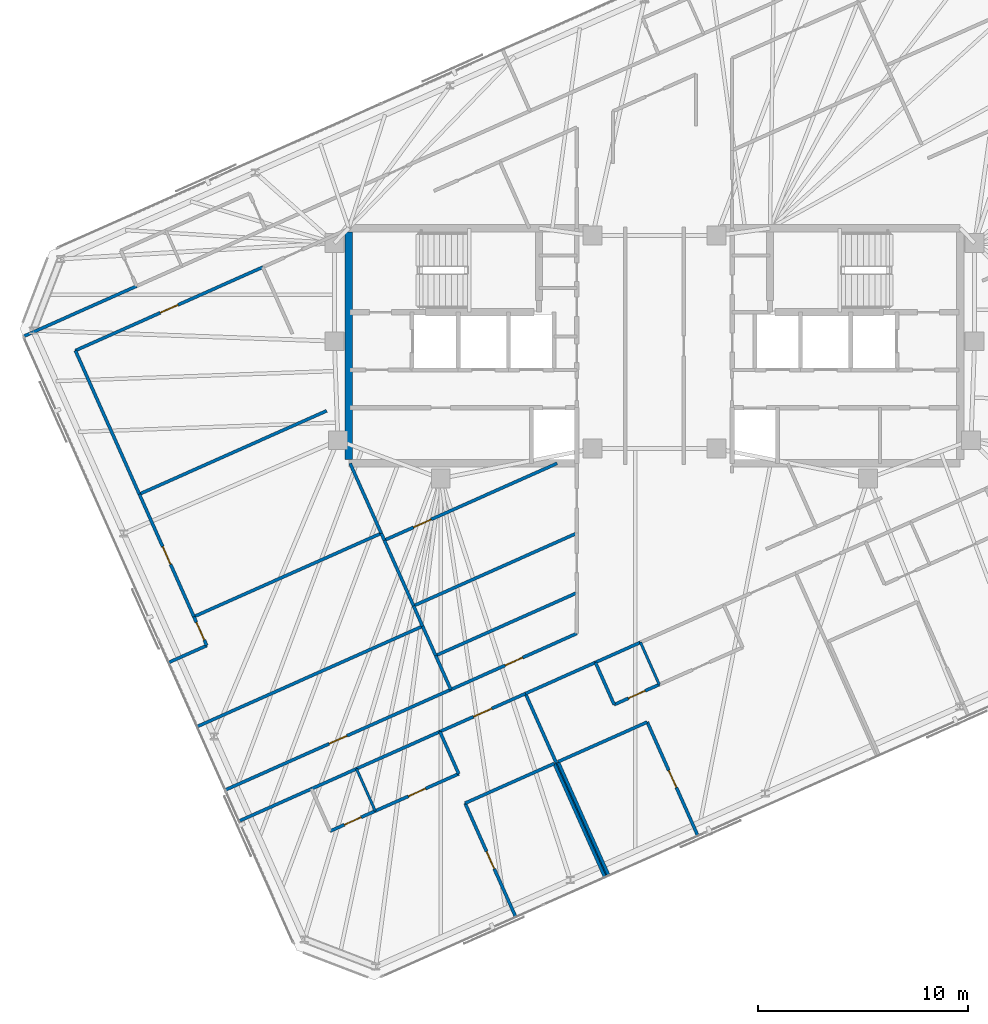
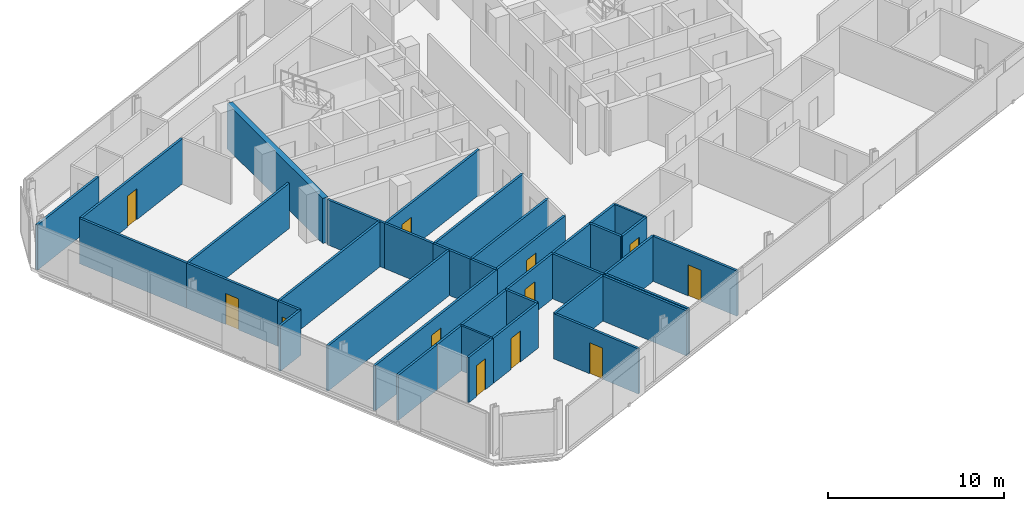
# One storey, part 13 of 19: 41 walls, 12 doors, 12 openings.
"""IFC4 building model written with IfcOpenShell, lengths in metres."""

from ifc_helpers import new_model, si_unit, direction, frame, frame_2d, origin, place, context, subcontext, project, spatial, rectangle, extrude, material, layer, layer_set, type_object, element, fill, save


model = new_model("IFC4")

# Units and contexts
model_context = context("Model", 3, precision=1e-05, world=origin(), true_north=direction((0.0, 1.0)))
body_context = subcontext(model_context, "Body", "Model", "MODEL_VIEW")
ifc_project = project(units=[si_unit("LENGTHUNIT", "METRE"), si_unit("AREAUNIT", "SQUARE_METRE"), si_unit("VOLUMEUNIT", "CUBIC_METRE"), si_unit("PLANEANGLEUNIT", "RADIAN"), si_unit("MASSUNIT", "GRAM", prefix="KILO")], contexts=[model_context])

# Site, building, storey
site_placement = place(None, origin())
site = spatial("IfcSite", under=ifc_project, at=site_placement, CompositionType="ELEMENT")
building_placement = place(site_placement, origin())
building = spatial("IfcBuilding", under=site, at=building_placement, Name="Menara Jurai Vektor", CompositionType="ELEMENT")
storey_placement = place(building_placement, frame((0.0, 0.0, 268.89990234375)))
storey = spatial("IfcBuildingStorey", under=building, at=storey_placement, Name="L72", CompositionType="ELEMENT", Elevation=268.89990234375)

# Walls
ifc_material_1 = material(Name="Gypsum Fireboard Partition", Category="gypsum")
ifc_layer_1 = layer(ifc_material_1, 0.14990234375)
ifc_layer_set_1 = layer_set([ifc_layer_1], Name="Gypsum Fireboard Partition")
wall_type_1 = type_object("IfcWallType", Name="INT-WALL-CORR-150", PredefinedType="PARTITIONING", material=ifc_layer_set_1)
wall_1_placement = place(storey_placement, frame((-30.063232421875, 0.44384765625, 0.0), z_axis=(0.0, 0.0, 1.0), x_axis=(0.913545336501, 0.406736915165, 0.0)))
element("IfcWall", 1, at=wall_1_placement, inside=storey, type_object=wall_type_1, Name="Interior Wall IW-150 L72", PredefinedType="PARTITIONING", context=body_context, shape_type="SweptSolid", body=[
    extrude(rectangle(XDim=5.904052734375, YDim=0.14990234375, at=frame_2d((2.9521484375, 0.0))), origin(), (0.0, 0.0, 1.0), 3.125),
])
wall_2_placement = place(storey_placement, frame((-19.786376953125, -22.638671875, 0.0), z_axis=(0.0, 0.0, 1.0), x_axis=(0.913541633228, 0.406745232743, 0.0)))
element("IfcWall", 2, at=wall_2_placement, inside=storey, type_object=wall_type_1, Name="Interior Wall IW-150 L72", PredefinedType="PARTITIONING", context=body_context, shape_type="SweptSolid", body=[
    extrude(rectangle(XDim=3.77001953125, YDim=0.14990234375, at=frame_2d((1.885009765625, 0.0))), origin(), (0.0, 0.0, 1.0), 3.125),
])

# Wall, opening, door
wall_3_placement = place(storey_placement, frame((-10.221435546875, -18.380126953125, 0.0), z_axis=(0.0, 0.0, 1.0), x_axis=(0.913542602601, 0.406743055543, 0.0)))
wall_3 = element("IfcWall", 3, at=wall_3_placement, inside=storey, type_object=wall_type_1, Name="Interior Wall IW-150 L72", PredefinedType="PARTITIONING", context=body_context, shape_type="SweptSolid", body=[
    extrude(rectangle(XDim=4.4580078125, YDim=0.14990234375, at=frame_2d((2.22900390625, 0.0))), origin(), (0.0, 0.0, 1.0), 3.125),
])
opening_1_placement = place(wall_3_placement, frame((1.75390625, 0.0, 0.0)))
opening_1 = element("IfcOpeningElement", 4, at=opening_1_placement, cuts=wall_3, Name="Opening D72-16", PredefinedType="OPENING", context=body_context, shape_type="SweptSolid", body=[
    extrude(rectangle(XDim=0.949951171875, YDim=2.14990234375, at=frame_2d((0.47509765625, 1.074951171875))), frame((0.0, 0.0849609375, 0.0), z_axis=(0.0, -1.0, 0.0), x_axis=(1.0, 0.0, 0.0)), (0.0, 0.0, 1.0), 0.169921875),
])
ifc_material_2 = material(Name="Solid Core Timber Fire Door", Category="wood")
door_type_1 = type_object("IfcDoorType", Name="DR-ENTRY-950", OperationType="NOTDEFINED", PredefinedType="DOOR", material=ifc_material_2)
door_1_placement = place(opening_1_placement, origin())
door_1 = element("IfcDoor", 5, at=door_1_placement, inside=storey, type_object=door_type_1, Name="Interior Door D72-16", OperationType="SINGLE_SWING_RIGHT", OverallHeight=2.14990234375, OverallWidth=0.949951171875, PredefinedType="DOOR", context=body_context, shape_type="SweptSolid", body=[
    extrude(rectangle(XDim=0.949951171875, YDim=2.14990234375, at=frame_2d((0.47509765625, 1.074951171875))), frame((0.0, 0.02490234375, 0.0), z_axis=(0.0, -1.0, 0.0), x_axis=(1.0, 0.0, 0.0)), (0.0, 0.0, 1.0), 0.050048828125),
])
fill(opening_1, door_1)

# Walls
wall_4_placement = place(storey_placement, frame((-16.34228515625, -21.105224609375, 0.0), z_axis=(0.0, 0.0, 1.0), x_axis=(0.913558622212, 0.406707073682, 0.0)))
element("IfcWall", 6, at=wall_4_placement, inside=storey, type_object=wall_type_1, Name="Interior Wall IW-150 L72", PredefinedType="PARTITIONING", context=body_context, shape_type="SweptSolid", body=[
    extrude(rectangle(XDim=2.35009765625, YDim=0.14990234375, at=frame_2d((1.175048828125, 0.0))), origin(), (0.0, 0.0, 1.0), 3.125),
])
wall_5_placement = place(storey_placement, frame((-14.1953125, -20.1494140625, 0.0), z_axis=(0.0, 0.0, 1.0), x_axis=(0.913545193015, 0.406737237438, 0.0)))
element("IfcWall", 7, at=wall_5_placement, inside=storey, type_object=wall_type_1, Name="Interior Wall IW-150 L72", PredefinedType="PARTITIONING", context=body_context, shape_type="SweptSolid", body=[
    extrude(rectangle(XDim=4.349853515625, YDim=0.14990234375, at=frame_2d((2.1748046875, 0.0))), origin(), (0.0, 0.0, 1.0), 3.125),
])
wall_6_placement = place(storey_placement, frame((-6.14892578125, -16.56689453125, 0.0), z_axis=(0.0, 0.0, 1.0), x_axis=(0.913543802, 0.40674036169, 0.0)))
element("IfcWall", 8, at=wall_6_placement, inside=storey, type_object=wall_type_1, Name="Interior Wall IW-150 L72", PredefinedType="PARTITIONING", context=body_context, shape_type="SweptSolid", body=[
    extrude(rectangle(XDim=3.650146484375, YDim=0.14990234375, at=frame_2d((1.8251953125, 0.0))), origin(), (0.0, 0.0, 1.0), 3.125),
])
wall_7_placement = place(storey_placement, frame((-2.814453125, -15.082275390625, 0.0), z_axis=(0.0, 0.0, 1.0), x_axis=(0.913558622212, 0.406707073682, 0.0)))
element("IfcWall", 9, at=wall_7_placement, inside=storey, type_object=wall_type_1, Name="Interior Wall IW-150 L72", PredefinedType="PARTITIONING", context=body_context, shape_type="SweptSolid", body=[
    extrude(rectangle(XDim=2.35009765625, YDim=0.14990234375, at=frame_2d((1.175048828125, 0.0))), origin(), (0.0, 0.0, 1.0), 3.125),
])

# Wall, opening, door
wall_8_placement = place(storey_placement, frame((-20.4453125, -21.15869140625, 0.0), z_axis=(0.0, 0.0, 1.0), x_axis=(0.913547681516, 0.406731648137, 0.0)))
wall_8 = element("IfcWall", 10, at=wall_8_placement, inside=storey, type_object=wall_type_1, Name="Interior Wall IW-150 L72", PredefinedType="PARTITIONING", context=body_context, shape_type="SweptSolid", body=[
    extrude(rectangle(XDim=11.760009765625, YDim=0.14990234375, at=frame_2d((5.8798828125, 0.0))), origin(), (0.0, 0.0, 1.0), 3.125),
])
opening_2_placement = place(wall_8_placement, frame((5.419921875, 0.0, 0.0)))
opening_2 = element("IfcOpeningElement", 11, at=opening_2_placement, cuts=wall_8, Name="Opening D72-32", PredefinedType="OPENING", context=body_context, shape_type="SweptSolid", body=[
    extrude(rectangle(XDim=0.919921875, YDim=2.14990234375, at=frame_2d((0.4599609375, 1.074951171875))), frame((0.0, 0.0849609375, 0.0), z_axis=(0.0, -1.0, 0.0), x_axis=(1.0, 0.0, 0.0)), (0.0, 0.0, 1.0), 0.169921875),
])
door_2_placement = place(opening_2_placement, origin())
door_2 = element("IfcDoor", 12, at=door_2_placement, inside=storey, type_object=door_type_1, Name="Interior Door D72-32", OperationType="SINGLE_SWING_RIGHT", OverallHeight=2.14990234375, OverallWidth=0.919921875, PredefinedType="DOOR", context=body_context, shape_type="SweptSolid", body=[
    extrude(rectangle(XDim=0.919921875, YDim=2.14990234375, at=frame_2d((0.4599609375, 1.074951171875))), frame((0.0, 0.02490234375, 0.0), z_axis=(0.0, -1.0, 0.0), x_axis=(1.0, 0.0, 0.0)), (0.0, 0.0, 1.0), 0.050048828125),
])
fill(opening_2, door_2)

# Wall
wall_9_placement = place(storey_placement, frame((-23.14794921875, -15.088134765625, 0.0), z_axis=(0.0, 0.0, 1.0), x_axis=(0.913553334727, 0.406718950392, 0.0)))
element("IfcWall", 13, at=wall_9_placement, inside=storey, type_object=wall_type_1, Name="Interior Wall IW-150 L72", PredefinedType="PARTITIONING", context=body_context, shape_type="SweptSolid", body=[
    extrude(rectangle(XDim=1.989990234375, YDim=0.14990234375, at=frame_2d((0.9951171875, 0.0))), origin(), (0.0, 0.0, 1.0), 3.125),
])

# Wall, opening, door
wall_10_placement = place(storey_placement, frame((-21.330078125, -14.27880859375, 0.0), z_axis=(0.0, 0.0, 1.0), x_axis=(-0.406725442105, 0.913550444554, 0.0)))
wall_10 = element("IfcWall", 14, at=wall_10_placement, inside=storey, type_object=wall_type_1, Name="Interior Wall IW-150 L72", PredefinedType="PARTITIONING", context=body_context, shape_type="SweptSolid", body=[
    extrude(rectangle(XDim=1.5048828125, YDim=0.14990234375, at=frame_2d((0.75244140625, 0.0))), origin(), (0.0, 0.0, 1.0), 3.125),
])
opening_3_placement = place(wall_10_placement, frame((0.29248046875, 0.0, 0.0)))
opening_3 = element("IfcOpeningElement", 15, at=opening_3_placement, cuts=wall_10, Name="Opening D72-33", PredefinedType="OPENING", context=body_context, shape_type="SweptSolid", body=[
    extrude(rectangle(XDim=0.919921875, YDim=2.14990234375, at=frame_2d((0.4599609375, 1.074951171875))), frame((0.0, 0.0849609375, 0.0), z_axis=(0.0, -1.0, 0.0), x_axis=(1.0, 0.0, 0.0)), (0.0, 0.0, 1.0), 0.169921875),
])
door_3_placement = place(opening_3_placement, origin())
door_3 = element("IfcDoor", 16, at=door_3_placement, inside=storey, type_object=door_type_1, Name="Interior Door D72-33", OperationType="SINGLE_SWING_LEFT", OverallHeight=2.14990234375, OverallWidth=0.919921875, PredefinedType="DOOR", context=body_context, shape_type="SweptSolid", body=[
    extrude(rectangle(XDim=0.919921875, YDim=2.14990234375, at=frame_2d((0.4599609375, 1.074951171875))), frame((0.0, 0.02490234375, 0.0), z_axis=(0.0, -1.0, 0.0), x_axis=(1.0, 0.0, 0.0)), (0.0, 0.0, 1.0), 0.050048828125),
])
fill(opening_3, door_3)

wall_11_placement = place(storey_placement, frame((-21.942138671875, -12.904052734375, 0.0), z_axis=(0.0, 0.0, 1.0), x_axis=(-0.406712833395, 0.913556058023, 0.0)))
wall_11 = element("IfcWall", 17, at=wall_11_placement, inside=storey, type_object=wall_type_1, Name="Interior Wall IW-150 L72", PredefinedType="PARTITIONING", context=body_context, shape_type="SweptSolid", body=[
    extrude(rectangle(XDim=6.38818359375, YDim=0.14990234375, at=frame_2d((3.194091796875, 0.0))), origin(), (0.0, 0.0, 1.0), 3.125),
])
opening_4_placement = place(wall_11_placement, frame((2.73388671875, 0.0, 0.0)))
opening_4 = element("IfcOpeningElement", 18, at=opening_4_placement, cuts=wall_11, Name="Opening D72-34", PredefinedType="OPENING", context=body_context, shape_type="SweptSolid", body=[
    extrude(rectangle(XDim=0.919921875, YDim=2.14990234375, at=frame_2d((0.4599609375, 1.074951171875))), frame((0.0, 0.0849609375, 0.0), z_axis=(0.0, -1.0, 0.0), x_axis=(1.0, 0.0, 0.0)), (0.0, 0.0, 1.0), 0.169921875),
])
door_4_placement = place(opening_4_placement, origin())
door_4 = element("IfcDoor", 19, at=door_4_placement, inside=storey, type_object=door_type_1, Name="Interior Door D72-34", OperationType="SINGLE_SWING_RIGHT", OverallHeight=2.14990234375, OverallWidth=0.919921875, PredefinedType="DOOR", context=body_context, shape_type="SweptSolid", body=[
    extrude(rectangle(XDim=0.919921875, YDim=2.14990234375, at=frame_2d((0.4599609375, 1.074951171875))), frame((0.0, 0.02490234375, 0.0), z_axis=(0.0, -1.0, 0.0), x_axis=(1.0, 0.0, 0.0)), (0.0, 0.0, 1.0), 0.050048828125),
])
fill(opening_4, door_4)

# Wall
wall_12_placement = place(storey_placement, frame((-24.540283203125, -7.068115234375, 0.0), z_axis=(0.0, 0.0, 1.0), x_axis=(-0.406758457302, 0.913535745011, 0.0)))
element("IfcWall", 20, at=wall_12_placement, inside=storey, type_object=wall_type_1, Name="Interior Wall IW-150 L72", PredefinedType="PARTITIONING", context=body_context, shape_type="SweptSolid", body=[
    extrude(rectangle(XDim=7.48876953125, YDim=0.14990234375, at=frame_2d((3.744384765625, 0.0))), origin(), (0.0, 0.0, 1.0), 3.125),
])

# Wall, opening, door
wall_13_placement = place(storey_placement, frame((-27.58642578125, -0.226806640625, 0.0), z_axis=(0.0, 0.0, 1.0), x_axis=(0.913542396088, 0.40674351937, 0.0)))
wall_13 = element("IfcWall", 21, at=wall_13_placement, inside=storey, type_object=wall_type_1, Name="Interior Wall IW-150 L72", PredefinedType="PARTITIONING", context=body_context, shape_type="SweptSolid", body=[
    extrude(rectangle(XDim=9.77001953125, YDim=0.14990234375, at=frame_2d((4.885009765625, 0.0))), origin(), (0.0, 0.0, 1.0), 3.125),
])
opening_5_placement = place(wall_13_placement, frame((4.425048828125, 0.0, 0.0)))
opening_5 = element("IfcOpeningElement", 22, at=opening_5_placement, cuts=wall_13, Name="Opening D72-35", PredefinedType="OPENING", context=body_context, shape_type="SweptSolid", body=[
    extrude(rectangle(XDim=0.919921875, YDim=2.14990234375, at=frame_2d((0.4599609375, 1.074951171875))), frame((0.0, 0.0849609375, 0.0), z_axis=(0.0, -1.0, 0.0), x_axis=(1.0, 0.0, 0.0)), (0.0, 0.0, 1.0), 0.169921875),
])
door_5_placement = place(opening_5_placement, origin())
door_5 = element("IfcDoor", 23, at=door_5_placement, inside=storey, type_object=door_type_1, Name="Interior Door D72-35", OperationType="SINGLE_SWING_LEFT", OverallHeight=2.14990234375, OverallWidth=0.919921875, PredefinedType="DOOR", context=body_context, shape_type="SweptSolid", body=[
    extrude(rectangle(XDim=0.919921875, YDim=2.14990234375, at=frame_2d((0.4599609375, 1.074951171875))), frame((0.0, 0.02490234375, 0.0), z_axis=(0.0, -1.0, 0.0), x_axis=(1.0, 0.0, 0.0)), (0.0, 0.0, 1.0), 0.050048828125),
])
fill(opening_5, door_5)

wall_14_placement = place(storey_placement, frame((-9.701904296875, -16.37548828125, 0.0), z_axis=(0.0, 0.0, 1.0), x_axis=(0.913552389019, 0.406721074594, 0.0)))
wall_14 = element("IfcWall", 24, at=wall_14_placement, inside=storey, type_object=wall_type_1, Name="Interior Wall IW-150 L72", PredefinedType="PARTITIONING", context=body_context, shape_type="SweptSolid", body=[
    extrude(rectangle(XDim=6.56982421875, YDim=0.14990234375, at=frame_2d((3.284912109375, 0.0))), origin(), (0.0, 0.0, 1.0), 3.125),
])
opening_6_placement = place(wall_14_placement, frame((2.824951171875, 0.0, 0.0)))
opening_6 = element("IfcOpeningElement", 25, at=opening_6_placement, cuts=wall_14, Name="Opening D72-38", PredefinedType="OPENING", context=body_context, shape_type="SweptSolid", body=[
    extrude(rectangle(XDim=0.919921875, YDim=2.14990234375, at=frame_2d((0.4599609375, 1.074951171875))), frame((0.0, 0.0849609375, 0.0), z_axis=(0.0, -1.0, 0.0), x_axis=(1.0, 0.0, 0.0)), (0.0, 0.0, 1.0), 0.169921875),
])
door_6_placement = place(opening_6_placement, origin())
door_6 = element("IfcDoor", 26, at=door_6_placement, inside=storey, type_object=door_type_1, Name="Interior Door D72-38", OperationType="SINGLE_SWING_RIGHT", OverallHeight=2.14990234375, OverallWidth=0.919921875, PredefinedType="DOOR", context=body_context, shape_type="SweptSolid", body=[
    extrude(rectangle(XDim=0.919921875, YDim=2.14990234375, at=frame_2d((0.4599609375, 1.074951171875))), frame((0.0, 0.02490234375, 0.0), z_axis=(0.0, -1.0, 0.0), x_axis=(1.0, 0.0, 0.0)), (0.0, 0.0, 1.0), 0.050048828125),
])
fill(opening_6, door_6)

wall_15_placement = place(storey_placement, frame((-15.447509765625, -23.114990234375, 0.0), z_axis=(0.0, 0.0, 1.0), x_axis=(0.913558622212, 0.406707073682, 0.0)))
wall_15 = element("IfcWall", 27, at=wall_15_placement, inside=storey, type_object=wall_type_1, Name="Interior Wall IW-150 L72", PredefinedType="PARTITIONING", context=body_context, shape_type="SweptSolid", body=[
    extrude(rectangle(XDim=2.35009765625, YDim=0.14990234375, at=frame_2d((1.175048828125, 0.0))), origin(), (0.0, 0.0, 1.0), 3.125),
])
opening_7_placement = place(wall_15_placement, frame((0.735107421875, 0.0, 0.0)))
opening_7 = element("IfcOpeningElement", 28, at=opening_7_placement, cuts=wall_15, Name="Opening D72-17", PredefinedType="OPENING", context=body_context, shape_type="SweptSolid", body=[
    extrude(rectangle(XDim=0.8798828125, YDim=2.14990234375, at=frame_2d((0.43994140625, 1.074951171875))), frame((0.0, 0.0849609375, 0.0), z_axis=(0.0, -1.0, 0.0), x_axis=(1.0, 0.0, 0.0)), (0.0, 0.0, 1.0), 0.169921875),
])
ifc_material_3 = material(Name="Moisture-Resistant Timber Door", Category="wood")
door_type_2 = type_object("IfcDoorType", Name="DR-BATH-880", OperationType="NOTDEFINED", PredefinedType="DOOR", material=ifc_material_3)
door_7_placement = place(opening_7_placement, origin())
door_7 = element("IfcDoor", 29, at=door_7_placement, inside=storey, type_object=door_type_2, Name="Interior Door D72-17", OperationType="SINGLE_SWING_LEFT", OverallHeight=2.14990234375, OverallWidth=0.8798828125, PredefinedType="DOOR", context=body_context, shape_type="SweptSolid", body=[
    extrude(rectangle(XDim=0.8798828125, YDim=2.14990234375, at=frame_2d((0.43994140625, 1.074951171875))), frame((0.0, 0.02490234375, 0.0), z_axis=(0.0, -1.0, 0.0), x_axis=(1.0, 0.0, 0.0)), (0.0, 0.0, 1.0), 0.050048828125),
])
fill(opening_7, door_7)

wall_16_placement = place(storey_placement, frame((-13.300537109375, -22.1591796875, 0.0), z_axis=(0.0, 0.0, 1.0), x_axis=(0.913545193015, 0.406737237438, 0.0)))
wall_16 = element("IfcWall", 30, at=wall_16_placement, inside=storey, type_object=wall_type_1, Name="Interior Wall IW-150 L72", PredefinedType="PARTITIONING", context=body_context, shape_type="SweptSolid", body=[
    extrude(rectangle(XDim=4.349853515625, YDim=0.14990234375, at=frame_2d((2.1748046875, 0.0))), origin(), (0.0, 0.0, 1.0), 3.125),
])
opening_8_placement = place(wall_16_placement, frame((1.72509765625, 0.0, 0.0)))
opening_8 = element("IfcOpeningElement", 31, at=opening_8_placement, cuts=wall_16, Name="Opening D72-18", PredefinedType="OPENING", context=body_context, shape_type="SweptSolid", body=[
    extrude(rectangle(XDim=0.89990234375, YDim=2.14990234375, at=frame_2d((0.449951171875, 1.074951171875))), frame((0.0, 0.0849609375, 0.0), z_axis=(0.0, -1.0, 0.0), x_axis=(1.0, 0.0, 0.0)), (0.0, 0.0, 1.0), 0.169921875),
])
ifc_material_4 = material(Name="Acoustic Timber Interior Door", Category="wood")
door_type_3 = type_object("IfcDoorType", Name="DR-ROOM-900", OperationType="NOTDEFINED", PredefinedType="DOOR", material=ifc_material_4)
door_8_placement = place(opening_8_placement, origin())
door_8 = element("IfcDoor", 32, at=door_8_placement, inside=storey, type_object=door_type_3, Name="Interior Door D72-18", OperationType="SINGLE_SWING_RIGHT", OverallHeight=2.14990234375, OverallWidth=0.89990234375, PredefinedType="DOOR", context=body_context, shape_type="SweptSolid", body=[
    extrude(rectangle(XDim=0.89990234375, YDim=2.14990234375, at=frame_2d((0.449951171875, 1.074951171875))), frame((0.0, 0.02490234375, 0.0), z_axis=(0.0, -1.0, 0.0), x_axis=(1.0, 0.0, 0.0)), (0.0, 0.0, 1.0), 0.050048828125),
])
fill(opening_8, door_8)

# Wall
wall_17_placement = place(storey_placement, frame((-9.32666015625, -20.389892578125, 0.0), z_axis=(0.0, 0.0, 1.0), x_axis=(-0.406725294076, 0.913550510459, 0.0)))
element("IfcWall", 33, at=wall_17_placement, inside=storey, type_object=wall_type_1, Name="Interior Wall IW-150 L72", PredefinedType="PARTITIONING", context=body_context, shape_type="SweptSolid", body=[
    extrude(rectangle(XDim=2.199951171875, YDim=0.14990234375, at=frame_2d((1.10009765625, 0.0))), origin(), (0.0, 0.0, 1.0), 3.125),
])

# Wall, opening, door
wall_18_placement = place(storey_placement, frame((-6.610107421875, -27.209716796875, 0.0), z_axis=(0.0, 0.0, 1.0), x_axis=(-0.406699433793, 0.913562023375, 0.0)))
wall_18 = element("IfcWall", 34, at=wall_18_placement, inside=storey, type_object=wall_type_1, Name="Interior Wall IW-150 L72", PredefinedType="PARTITIONING", context=body_context, shape_type="SweptSolid", body=[
    extrude(rectangle(XDim=5.93505859375, YDim=0.14990234375, at=frame_2d((2.967529296875, 0.0))), origin(), (0.0, 0.0, 1.0), 3.125),
])
opening_9_placement = place(wall_18_placement, frame((2.517578125, 0.0, 0.0)))
opening_9 = element("IfcOpeningElement", 35, at=opening_9_placement, cuts=wall_18, Name="Opening D72-19", PredefinedType="OPENING", context=body_context, shape_type="SweptSolid", body=[
    extrude(rectangle(XDim=0.89990234375, YDim=2.14990234375, at=frame_2d((0.449951171875, 1.074951171875))), frame((0.0, 0.0849609375, 0.0), z_axis=(0.0, -1.0, 0.0), x_axis=(1.0, 0.0, 0.0)), (0.0, 0.0, 1.0), 0.169921875),
])
door_9_placement = place(opening_9_placement, origin())
door_9 = element("IfcDoor", 36, at=door_9_placement, inside=storey, type_object=door_type_3, Name="Interior Door D72-19", OperationType="SINGLE_SWING_LEFT", OverallHeight=2.14990234375, OverallWidth=0.89990234375, PredefinedType="DOOR", context=body_context, shape_type="SweptSolid", body=[
    extrude(rectangle(XDim=0.89990234375, YDim=2.14990234375, at=frame_2d((0.449951171875, 1.074951171875))), frame((0.0, 0.02490234375, 0.0), z_axis=(0.0, -1.0, 0.0), x_axis=(1.0, 0.0, 0.0)), (0.0, 0.0, 1.0), 0.050048828125),
])
fill(opening_9, door_9)

# Walls
wall_19_placement = place(storey_placement, frame((-9.02392578125, -21.78759765625, 0.0), z_axis=(0.0, 0.0, 1.0), x_axis=(0.913564558304, 0.406693739576, 0.0)))
element("IfcWall", 37, at=wall_19_placement, inside=storey, type_object=wall_type_1, Name="Interior Wall IW-150 L72", PredefinedType="PARTITIONING", context=body_context, shape_type="SweptSolid", body=[
    extrude(rectangle(XDim=4.64990234375, YDim=0.14990234375, at=frame_2d((2.324951171875, 0.0))), origin(), (0.0, 0.0, 1.0), 3.125),
])
wall_20_placement = place(storey_placement, frame((-2.362060546875, -25.318359375, 0.0), z_axis=(0.0, 0.0, 1.0), x_axis=(-0.406714717734, 0.913555219119, 0.0)))
element("IfcWall", 38, at=wall_20_placement, inside=storey, type_object=wall_type_1, Name="Interior Wall IW-150 L72", PredefinedType="PARTITIONING", context=body_context, shape_type="SweptSolid", body=[
    extrude(rectangle(XDim=5.934814453125, YDim=0.14990234375, at=frame_2d((2.96728515625, 0.0))), origin(), (0.0, 0.0, 1.0), 3.125),
])
wall_21_placement = place(storey_placement, frame((-2.2705078125, -25.277587890625, 0.0), z_axis=(0.0, 0.0, 1.0), x_axis=(-0.406751296215, 0.913538933504, 0.0)))
element("IfcWall", 39, at=wall_21_placement, inside=storey, type_object=wall_type_1, Name="Interior Wall IW-150 L72", PredefinedType="PARTITIONING", context=body_context, shape_type="SweptSolid", body=[
    extrude(rectangle(XDim=9.53515625, YDim=0.14990234375, at=frame_2d((4.767578125, 0.0))), origin(), (0.0, 0.0, 1.0), 3.125),
])
wall_22_placement = place(storey_placement, frame((-1.919677734375, -17.092041015625, 0.0), z_axis=(0.0, 0.0, 1.0), x_axis=(-0.406725294076, 0.913550510459, 0.0)))
element("IfcWall", 40, at=wall_22_placement, inside=storey, type_object=wall_type_1, Name="Interior Wall IW-150 L72", PredefinedType="PARTITIONING", context=body_context, shape_type="SweptSolid", body=[
    extrude(rectangle(XDim=2.199951171875, YDim=0.14990234375, at=frame_2d((1.10009765625, 0.0))), origin(), (0.0, 0.0, 1.0), 3.125),
])

# Wall, opening, door
wall_23_placement = place(storey_placement, frame((-1.919677734375, -17.092041015625, 0.0), z_axis=(0.0, 0.0, 1.0), x_axis=(0.913558622212, 0.406707073682, 0.0)))
wall_23 = element("IfcWall", 41, at=wall_23_placement, inside=storey, type_object=wall_type_1, Name="Interior Wall IW-150 L72", PredefinedType="PARTITIONING", context=body_context, shape_type="SweptSolid", body=[
    extrude(rectangle(XDim=2.35009765625, YDim=0.14990234375, at=frame_2d((1.175048828125, 0.0))), origin(), (0.0, 0.0, 1.0), 3.125),
])
opening_10_placement = place(wall_23_placement, frame((0.735107421875, 0.0, 0.0)))
opening_10 = element("IfcOpeningElement", 42, at=opening_10_placement, cuts=wall_23, Name="Opening D72-21", PredefinedType="OPENING", context=body_context, shape_type="SweptSolid", body=[
    extrude(rectangle(XDim=0.8798828125, YDim=2.14990234375, at=frame_2d((0.43994140625, 1.074951171875))), frame((0.0, 0.0849609375, 0.0), z_axis=(0.0, -1.0, 0.0), x_axis=(1.0, 0.0, 0.0)), (0.0, 0.0, 1.0), 0.169921875),
])
door_10_placement = place(opening_10_placement, origin())
door_10 = element("IfcDoor", 43, at=door_10_placement, inside=storey, type_object=door_type_2, Name="Interior Door D72-21", OperationType="SINGLE_SWING_LEFT", OverallHeight=2.14990234375, OverallWidth=0.8798828125, PredefinedType="DOOR", context=body_context, shape_type="SweptSolid", body=[
    extrude(rectangle(XDim=0.8798828125, YDim=2.14990234375, at=frame_2d((0.43994140625, 1.074951171875))), frame((0.0, 0.02490234375, 0.0), z_axis=(0.0, -1.0, 0.0), x_axis=(1.0, 0.0, 0.0)), (0.0, 0.0, 1.0), 0.050048828125),
])
fill(opening_10, door_10)

# Walls
wall_24_placement = place(storey_placement, frame((-2.17919921875, -25.23681640625, 0.0), z_axis=(0.0, 0.0, 1.0), x_axis=(-0.406749048544, 0.913539934271, 0.0)))
element("IfcWall", 44, at=wall_24_placement, inside=storey, type_object=wall_type_1, Name="Interior Wall IW-150 L72", PredefinedType="PARTITIONING", context=body_context, shape_type="SweptSolid", body=[
    extrude(rectangle(XDim=5.93505859375, YDim=0.14990234375, at=frame_2d((2.967529296875, 0.0))), origin(), (0.0, 0.0, 1.0), 3.125),
])
wall_25_placement = place(storey_placement, frame((-4.59326171875, -19.81494140625, 0.0), z_axis=(0.0, 0.0, 1.0), x_axis=(0.91354505039, 0.40673755778, 0.0)))
element("IfcWall", 45, at=wall_25_placement, inside=storey, type_object=wall_type_1, Name="Interior Wall IW-150 L72", PredefinedType="PARTITIONING", context=body_context, shape_type="SweptSolid", body=[
    extrude(rectangle(XDim=4.650146484375, YDim=0.14990234375, at=frame_2d((2.3251953125, 0.0))), origin(), (0.0, 0.0, 1.0), 3.125),
])

# Wall, opening, door
wall_26_placement = place(storey_placement, frame((2.068603515625, -23.345703125, 0.0), z_axis=(0.0, 0.0, 1.0), x_axis=(-0.406699433793, 0.913562023375, 0.0)))
wall_26 = element("IfcWall", 46, at=wall_26_placement, inside=storey, type_object=wall_type_1, Name="Interior Wall IW-150 L72", PredefinedType="PARTITIONING", context=body_context, shape_type="SweptSolid", body=[
    extrude(rectangle(XDim=5.93505859375, YDim=0.14990234375, at=frame_2d((2.967529296875, 0.0))), origin(), (0.0, 0.0, 1.0), 3.125),
])
opening_11_placement = place(wall_26_placement, frame((2.517578125, 0.0, 0.0)))
opening_11 = element("IfcOpeningElement", 47, at=opening_11_placement, cuts=wall_26, Name="Opening D72-23", PredefinedType="OPENING", context=body_context, shape_type="SweptSolid", body=[
    extrude(rectangle(XDim=0.89990234375, YDim=2.14990234375, at=frame_2d((0.449951171875, 1.074951171875))), frame((0.0, 0.0849609375, 0.0), z_axis=(0.0, -1.0, 0.0), x_axis=(1.0, 0.0, 0.0)), (0.0, 0.0, 1.0), 0.169921875),
])
door_11_placement = place(opening_11_placement, origin())
door_11 = element("IfcDoor", 48, at=door_11_placement, inside=storey, type_object=door_type_3, Name="Interior Door D72-23", OperationType="SINGLE_SWING_LEFT", OverallHeight=2.14990234375, OverallWidth=0.89990234375, PredefinedType="DOOR", context=body_context, shape_type="SweptSolid", body=[
    extrude(rectangle(XDim=0.89990234375, YDim=2.14990234375, at=frame_2d((0.449951171875, 1.074951171875))), frame((0.0, 0.02490234375, 0.0), z_axis=(0.0, -1.0, 0.0), x_axis=(1.0, 0.0, 0.0)), (0.0, 0.0, 1.0), 0.050048828125),
])
fill(opening_11, door_11)

# Walls
wall_27_placement = place(storey_placement, frame((-21.7890625, -18.140380859375, 0.0), z_axis=(0.0, 0.0, 1.0), x_axis=(0.913544247064, 0.406739362069, 0.0)))
element("IfcWall", 49, at=wall_27_placement, inside=storey, type_object=wall_type_1, Name="Interior Wall IW-150 L72", PredefinedType="PARTITIONING", context=body_context, shape_type="SweptSolid", body=[
    extrude(rectangle(XDim=11.759765625, YDim=0.14990234375, at=frame_2d((5.8798828125, 0.0))), origin(), (0.0, 0.0, 1.0), 3.125),
])
wall_28_placement = place(storey_placement, frame((-9.701904296875, -16.37548828125, 0.0), z_axis=(0.0, 0.0, 1.0), x_axis=(-0.406740252054, 0.913543850813, 0.0)))
element("IfcWall", 50, at=wall_28_placement, inside=storey, type_object=wall_type_1, Name="Interior Wall IW-150 L72", PredefinedType="PARTITIONING", context=body_context, shape_type="SweptSolid", body=[
    extrude(rectangle(XDim=1.768798828125, YDim=0.14990234375, at=frame_2d((0.88427734375, 0.0))), origin(), (0.0, 0.0, 1.0), 3.125),
])
wall_29_placement = place(storey_placement, frame((-10.42138671875, -14.759521484375, 0.0), z_axis=(0.0, 0.0, 1.0), x_axis=(-0.406817131294, 0.91350961773, 0.0)))
element("IfcWall", 51, at=wall_29_placement, inside=storey, type_object=wall_type_1, Name="Interior Wall IW-150 L72", PredefinedType="PARTITIONING", context=body_context, shape_type="SweptSolid", body=[
    extrude(rectangle(XDim=1.53515625, YDim=0.14990234375, at=frame_2d((0.767578125, 0.0))), origin(), (0.0, 0.0, 1.0), 3.125),
])
wall_30_placement = place(storey_placement, frame((-21.942138671875, -12.904052734375, 0.0), z_axis=(0.0, 0.0, 1.0), x_axis=(0.913542396088, 0.40674351937, 0.0)))
element("IfcWall", 52, at=wall_30_placement, inside=storey, type_object=wall_type_1, Name="Interior Wall IW-150 L72", PredefinedType="PARTITIONING", context=body_context, shape_type="SweptSolid", body=[
    extrude(rectangle(XDim=9.77001953125, YDim=0.14990234375, at=frame_2d((4.885009765625, 0.0))), origin(), (0.0, 0.0, 1.0), 3.125),
])
wall_31_placement = place(storey_placement, frame((-11.0458984375, -13.357177734375, 0.0), z_axis=(0.0, 0.0, 1.0), x_axis=(-0.406629497236, 0.913593154515, 0.0)))
element("IfcWall", 53, at=wall_31_placement, inside=storey, type_object=wall_type_1, Name="Interior Wall IW-150 L72", PredefinedType="PARTITIONING", context=body_context, shape_type="SweptSolid", body=[
    extrude(rectangle(XDim=1.060791015625, YDim=0.14990234375, at=frame_2d((0.5302734375, 0.0))), origin(), (0.0, 0.0, 1.0), 3.125),
])
wall_32_placement = place(storey_placement, frame((-11.477294921875, -12.387939453125, 0.0), z_axis=(0.0, 0.0, 1.0), x_axis=(-0.406760980894, 0.913534621359, 0.0)))
element("IfcWall", 54, at=wall_32_placement, inside=storey, type_object=wall_type_1, Name="Interior Wall IW-150 L72", PredefinedType="PARTITIONING", context=body_context, shape_type="SweptSolid", body=[
    extrude(rectangle(XDim=3.419921875, YDim=0.14990234375, at=frame_2d((1.7099609375, 0.0))), origin(), (0.0, 0.0, 1.0), 3.125),
])
wall_33_placement = place(storey_placement, frame((-12.868408203125, -9.263671875, 0.0), z_axis=(0.0, 0.0, 1.0), x_axis=(-0.406634840409, 0.913590776314, 0.0)))
element("IfcWall", 55, at=wall_33_placement, inside=storey, type_object=wall_type_1, Name="Interior Wall IW-150 L72", PredefinedType="PARTITIONING", context=body_context, shape_type="SweptSolid", body=[
    extrude(rectangle(XDim=0.364990234375, YDim=0.14990234375, at=frame_2d((0.1826171875, 0.0))), origin(), (0.0, 0.0, 1.0), 3.125),
])
wall_34_placement = place(storey_placement, frame((-24.540283203125, -7.068115234375, 0.0), z_axis=(0.0, 0.0, 1.0), x_axis=(0.913551681238, 0.406722664364, 0.0)))
element("IfcWall", 56, at=wall_34_placement, inside=storey, type_object=wall_type_1, Name="Interior Wall IW-150 L72", PredefinedType="PARTITIONING", context=body_context, shape_type="SweptSolid", body=[
    extrude(rectangle(XDim=9.769775390625, YDim=0.14990234375, at=frame_2d((4.884765625, 0.0))), origin(), (0.0, 0.0, 1.0), 3.125),
])
wall_35_placement = place(storey_placement, frame((-13.016845703125, -8.93017578125, 0.0), z_axis=(0.0, 0.0, 1.0), x_axis=(-0.406722395322, 0.913551801018, 0.0)))
element("IfcWall", 57, at=wall_35_placement, inside=storey, type_object=wall_type_1, Name="Interior Wall IW-150 L72", PredefinedType="PARTITIONING", context=body_context, shape_type="SweptSolid", body=[
    extrude(rectangle(XDim=3.64599609375, YDim=0.14990234375, at=frame_2d((1.822998046875, 0.0))), origin(), (0.0, 0.0, 1.0), 3.125),
])
wall_36_placement = place(storey_placement, frame((-10.42138671875, -14.759521484375, 0.0), z_axis=(0.0, 0.0, 1.0), x_axis=(0.913533574053, 0.406763333006, 0.0)))
element("IfcWall", 58, at=wall_36_placement, inside=storey, type_object=wall_type_1, Name="Interior Wall IW-150 L72", PredefinedType="PARTITIONING", context=body_context, shape_type="SweptSolid", body=[
    extrude(rectangle(XDim=7.35791015625, YDim=0.14990234375, at=frame_2d((3.678955078125, 0.0))), origin(), (0.0, 0.0, 1.0), 3.125),
])
wall_37_placement = place(storey_placement, frame((-11.477294921875, -12.387939453125, 0.0), z_axis=(0.0, 0.0, 1.0), x_axis=(0.913542897736, 0.406742392673, 0.0)))
element("IfcWall", 59, at=wall_37_placement, inside=storey, type_object=wall_type_1, Name="Interior Wall IW-150 L72", PredefinedType="PARTITIONING", context=body_context, shape_type="SweptSolid", body=[
    extrude(rectangle(XDim=8.51318359375, YDim=0.14990234375, at=frame_2d((4.256591796875, 0.0))), origin(), (0.0, 0.0, 1.0), 3.125),
])

# Wall, opening, door
wall_38_placement = place(storey_placement, frame((-12.868408203125, -9.263671875, 0.0), z_axis=(0.0, 0.0, 1.0), x_axis=(0.913545332854, 0.406736923356, 0.0)))
wall_38 = element("IfcWall", 60, at=wall_38_placement, inside=storey, type_object=wall_type_1, Name="Interior Wall IW-150 L72", PredefinedType="PARTITIONING", context=body_context, shape_type="SweptSolid", body=[
    extrude(rectangle(XDim=9.00732421875, YDim=0.14990234375, at=frame_2d((4.503662109375, 0.0))), origin(), (0.0, 0.0, 1.0), 3.125),
])
opening_12_placement = place(wall_38_placement, frame((1.521484375, 0.0, 0.0)))
opening_12 = element("IfcOpeningElement", 61, at=opening_12_placement, cuts=wall_38, Name="Opening D72-41", PredefinedType="OPENING", context=body_context, shape_type="SweptSolid", body=[
    extrude(rectangle(XDim=0.919921875, YDim=2.14990234375, at=frame_2d((0.4599609375, 1.074951171875))), frame((0.0, 0.0849609375, 0.0), z_axis=(0.0, -1.0, 0.0), x_axis=(1.0, 0.0, 0.0)), (0.0, 0.0, 1.0), 0.169921875),
])
door_12_placement = place(opening_12_placement, origin())
door_12 = element("IfcDoor", 62, at=door_12_placement, inside=storey, type_object=door_type_1, Name="Interior Door D72-41", OperationType="SINGLE_SWING_LEFT", OverallHeight=2.14990234375, OverallWidth=0.919921875, PredefinedType="DOOR", context=body_context, shape_type="SweptSolid", body=[
    extrude(rectangle(XDim=0.919921875, YDim=2.14990234375, at=frame_2d((0.4599609375, 1.074951171875))), frame((0.0, 0.02490234375, 0.0), z_axis=(0.0, -1.0, 0.0), x_axis=(1.0, 0.0, 0.0)), (0.0, 0.0, 1.0), 0.050048828125),
])
fill(opening_12, door_12)

# Walls
ifc_material_5 = material(Name="Gypsum Acoustic Stud Partition", Category="gypsum")
ifc_layer_2 = layer(ifc_material_5, 0.1201171875)
ifc_layer_set_2 = layer_set([ifc_layer_2], Name="Gypsum Acoustic Stud Partition")
wall_type_2 = type_object("IfcWallType", Name="INT-WALL-PART-120", PredefinedType="PARTITIONING", material=ifc_layer_set_2)
for number, where, z_axis, x_axis, name in (
    (63, (-13.300537109375, -22.1591796875, 0.0), (0.0, 0.0, 1.0), (-0.406725294076, 0.913550510459, 0.0), "Interior Wall IW-120 L72"),
    (64, (0.227294921875, -16.13623046875, 0.0), (0.0, 0.0, 1.0), (-0.406725294076, 0.913550510459, 0.0), "Interior Wall IW-120 L72"),
):
    element("IfcWall", number, at=place(storey_placement, frame(where, z_axis=z_axis, x_axis=x_axis)), inside=storey, type_object=wall_type_2, Name=name, PredefinedType="PARTITIONING", context=body_context, shape_type="SweptSolid", body=[
        extrude(rectangle(XDim=2.199951171875, YDim=0.1201171875, at=frame_2d((1.10009765625, 0.0))), origin(), (0.0, 0.0, 1.0), 3.125),
    ])
ifc_material_6 = material(Name="Concrete C50/60", Category="concrete")
ifc_layer_3 = layer(ifc_material_6, 0.35009765625)
ifc_layer_set_3 = layer_set([ifc_layer_3], Name="Concrete C50/60")
wall_type_3 = type_object("IfcWallType", Name="STR-WALL-CORE350", PredefinedType="SHEAR", material=ifc_layer_set_3)
wall_39_placement = place(storey_placement, frame((-14.56005859375, -5.425048828125, 0.0), z_axis=(0.0, 0.0, 1.0), x_axis=(0.0, 1.0, 0.0)))
element("IfcWall", 65, at=wall_39_placement, inside=storey, type_object=wall_type_3, Name="Core Shear Wall CW-W-W L72", PredefinedType="SHEAR", context=body_context, shape_type="SweptSolid", body=[
    extrude(rectangle(XDim=10.85009765625, YDim=0.35009765625, at=frame_2d((5.425048828125, 0.0))), origin(), (0.0, 0.0, 1.0), 3.125),
])

save(model, "model.ifc")
